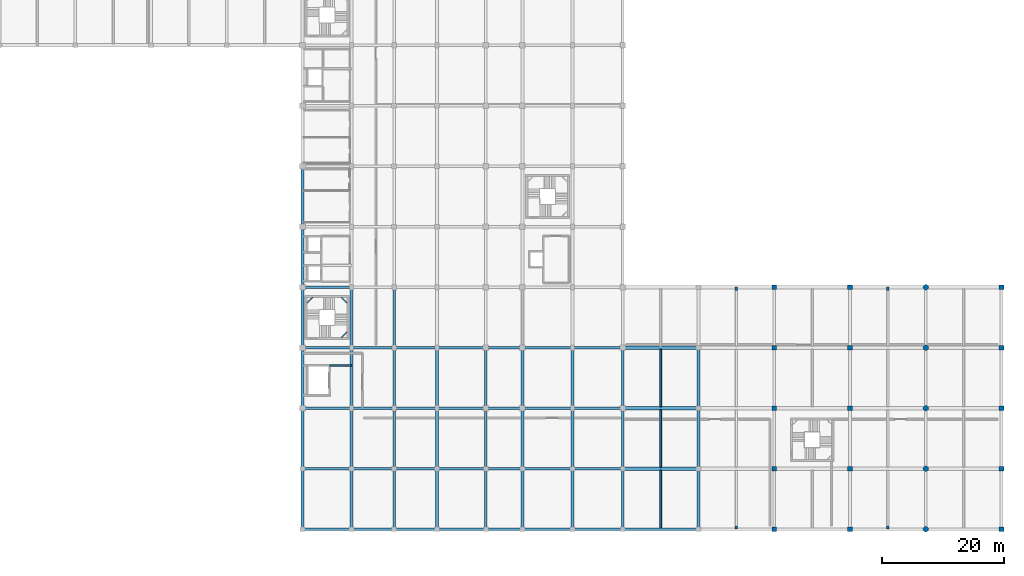
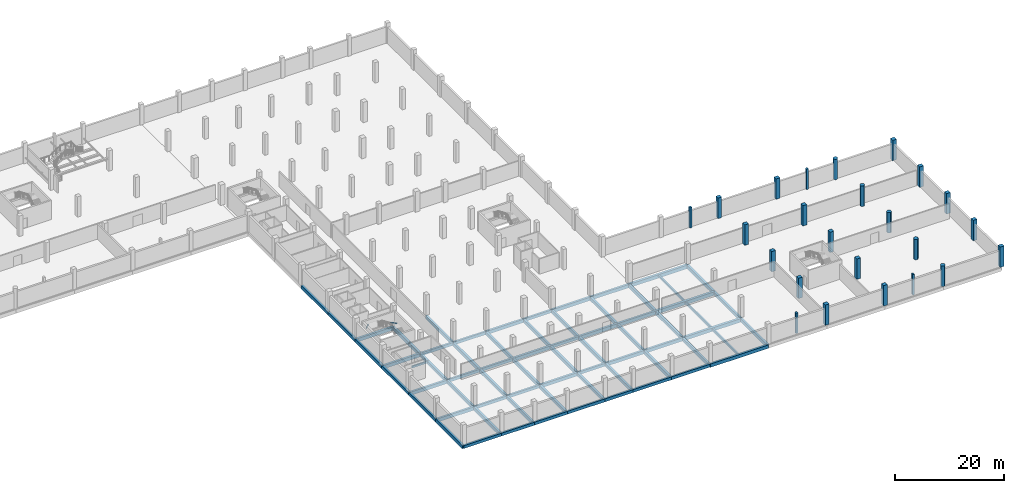
# One storey, part 3 of 32: 72 beams, 24 columns.
"""IFC4 building model written with IfcOpenShell, lengths in metres."""

from ifc_helpers import new_model, si_unit, direction, frame, origin, origin_2d, place, context, subcontext, project, spatial, rectangle, hollow_rectangle, circle, extrude, material, material_profile, profile_set, type_object, element, save


model = new_model("IFC4")

# Units and contexts
model_context = context("Model", 3, precision=1e-05, world=origin(), true_north=direction((0.0, 1.0)))
body_context = subcontext(model_context, "Body", "Model", "MODEL_VIEW")
ifc_project = project(units=[si_unit("LENGTHUNIT", "METRE"), si_unit("AREAUNIT", "SQUARE_METRE"), si_unit("VOLUMEUNIT", "CUBIC_METRE"), si_unit("PLANEANGLEUNIT", "RADIAN"), si_unit("MASSUNIT", "GRAM", prefix="KILO")], contexts=[model_context])

# Site, building, storey
site_placement = place(None, origin())
site = spatial("IfcSite", under=ifc_project, at=site_placement, CompositionType="ELEMENT")
building_placement = place(site_placement, origin())
building = spatial("IfcBuilding", under=site, at=building_placement, Name="Sillaruma Civic Art Gallery", CompositionType="ELEMENT")
storey_placement = place(building_placement, frame((0.0, 0.0, -4.590087890625)))
storey = spatial("IfcBuildingStorey", under=building, at=storey_placement, Name="B01", CompositionType="ELEMENT", Elevation=-4.590087890625)

# Columns
ifc_material_1 = material(Name="Concrete H40 (40 MPa)", Category="concrete")
ifc_material_profile_1 = material_profile(ifc_material_1, rectangle(XDim=0.800048828125, YDim=0.800048828125, at=origin_2d()), Name="RC800x800")
ifc_profile_set_1 = profile_set([ifc_material_profile_1], Name="Concrete H40 (40 MPa)")
column_type_1 = type_object("IfcColumnType", Name="COL-COLUMN-RC800x800", PredefinedType="COLUMN", material=ifc_profile_set_1)
for number, where, z_axis, x_axis, name in (
    (1, (139.199951171875, 0.0, 0.0), (0.0, 0.0, 1.0), (1.0, 0.0, 0.0), "Column C-04 (B01:Q1)"),
    (2, (139.199951171875, 9.89990234375, 0.0), (0.0, 0.0, 1.0), (1.0, 0.0, 0.0), "Column C-04 (B01:Q2)"),
    (3, (139.199951171875, 19.800048828125, 0.0), (0.0, 0.0, 1.0), (1.0, 0.0, 0.0), "Column C-04 (B01:Q3)"),
    (4, (139.199951171875, 29.699951171875, 0.0), (0.0, 0.0, 1.0), (1.0, 0.0, 0.0), "Column C-04 (B01:Q4)"),
    (5, (139.199951171875, 39.60009765625, 0.0), (0.0, 0.0, 1.0), (1.0, 0.0, 0.0), "Column C-04 (B01:Q5)"),
    (6, (151.60009765625, 0.0, 0.0), (0.0, 0.0, 1.0), (1.0, 0.0, 0.0), "Column C-04 (B01:R1)"),
    (7, (151.60009765625, 9.89990234375, 0.0), (0.0, 0.0, 1.0), (1.0, 0.0, 0.0), "Column C-04 (B01:R2)"),
    (8, (151.60009765625, 19.800048828125, 0.0), (0.0, 0.0, 1.0), (1.0, 0.0, 0.0), "Column C-04 (B01:R3)"),
    (9, (151.60009765625, 29.699951171875, 0.0), (0.0, 0.0, 1.0), (1.0, 0.0, 0.0), "Column C-04 (B01:R4)"),
    (10, (151.60009765625, 39.60009765625, 0.0), (0.0, 0.0, 1.0), (1.0, 0.0, 0.0), "Column C-04 (B01:R5)"),
    (11, (176.39990234375, 0.0, 0.0), (0.0, 0.0, 1.0), (1.0, 0.0, 0.0), "Column C-04 (B01:T1)"),
    (12, (176.39990234375, 9.89990234375, 0.0), (0.0, 0.0, 1.0), (1.0, 0.0, 0.0), "Column C-04 (B01:T2)"),
    (13, (176.39990234375, 19.800048828125, 0.0), (0.0, 0.0, 1.0), (1.0, 0.0, 0.0), "Column C-04 (B01:T3)"),
    (14, (176.39990234375, 29.699951171875, 0.0), (0.0, 0.0, 1.0), (1.0, 0.0, 0.0), "Column C-04 (B01:T4)"),
    (15, (176.39990234375, 39.60009765625, 0.0), (0.0, 0.0, 1.0), (1.0, 0.0, 0.0), "Column C-04 (B01:T5)"),
):
    element("IfcColumn", number, at=place(storey_placement, frame(where, z_axis=z_axis, x_axis=x_axis)), inside=storey, type_object=column_type_1, Name=name, PredefinedType="COLUMN", context=body_context, shape_type="SweptSolid", body=[
        extrude(rectangle(XDim=0.800048828125, YDim=0.800048828125, at=origin_2d()), origin(), (0.0, 0.0, 1.0), 4.590087890625),
    ])
ifc_material_profile_2 = material_profile(ifc_material_1, circle(Radius=0.43994140625, at=origin_2d()), Name="RCC880")
ifc_profile_set_2 = profile_set([ifc_material_profile_2], Name="Concrete H40 (40 MPa)")
column_type_2 = type_object("IfcColumnType", Name="COL-COLUMN-RCC880", PredefinedType="COLUMN", material=ifc_profile_set_2)
for number, where, z_axis, x_axis, name in (
    (16, (164.0, 0.0, 0.0), (0.0, 0.0, 1.0), (1.0, 0.0, 0.0), "Column CC-01 (B01:S1)"),
    (17, (164.0, 9.89990234375, 0.0), (0.0, 0.0, 1.0), (1.0, 0.0, 0.0), "Column CC-01 (B01:S2)"),
    (18, (164.0, 19.800048828125, 0.0), (0.0, 0.0, 1.0), (1.0, 0.0, 0.0), "Column CC-01 (B01:S3)"),
    (19, (164.0, 29.699951171875, 0.0), (0.0, 0.0, 1.0), (1.0, 0.0, 0.0), "Column CC-01 (B01:S4)"),
    (20, (164.0, 39.60009765625, 0.0), (0.0, 0.0, 1.0), (1.0, 0.0, 0.0), "Column CC-01 (B01:S5)"),
):
    element("IfcColumn", number, at=place(storey_placement, frame(where, z_axis=z_axis, x_axis=x_axis)), inside=storey, type_object=column_type_2, Name=name, PredefinedType="COLUMN", context=body_context, shape_type="SweptSolid", body=[
        extrude(circle(Radius=0.43994140625, at=origin_2d()), origin(), (0.0, 0.0, 1.0), 4.590087890625),
    ])
ifc_material_profile_3 = material_profile(ifc_material_1, rectangle(XDim=0.3798828125, YDim=0.5, at=origin_2d()), Name="RC500x380")
ifc_profile_set_3 = profile_set([ifc_material_profile_3], Name="Concrete H40 (40 MPa)")
column_type_3 = type_object("IfcColumnType", Name="COL-PILASTER-RC500x380", PredefinedType="PILASTER", material=ifc_profile_set_3)
for number, where, z_axis, x_axis, name in (
    (21, (133.0, 0.25, 0.0), (0.0, 0.0, 1.0), (1.0, 0.0, 0.0), "Pilaster CP-01 (B01:PIL-E1)"),
    (22, (157.800048828125, 0.25, 0.0), (0.0, 0.0, 1.0), (1.0, 0.0, 0.0), "Pilaster CP-01 (B01:PIL-E2)"),
    (23, (133.0, 39.35009765625, 0.0), (0.0, 0.0, 1.0), (1.0, 0.0, 0.0), "Pilaster CP-01 (B01:PIL-E3)"),
    (24, (157.800048828125, 39.35009765625, 0.0), (0.0, 0.0, 1.0), (1.0, 0.0, 0.0), "Pilaster CP-01 (B01:PIL-E4)"),
):
    element("IfcColumn", number, at=place(storey_placement, frame(where, z_axis=z_axis, x_axis=x_axis)), inside=storey, type_object=column_type_3, Name=name, PredefinedType="PILASTER", context=body_context, shape_type="SweptSolid", body=[
        extrude(rectangle(XDim=0.3798828125, YDim=0.5, at=origin_2d()), origin(), (0.0, 0.0, 1.0), 4.590087890625),
    ])

# Beams
ifc_material_2 = material(Name="Concrete H35 (35 MPa)", Category="concrete")
ifc_material_profile_4 = material_profile(ifc_material_2, rectangle(XDim=0.39990234375, YDim=0.64990234375, at=origin_2d()), Name="RCB400x650")
ifc_profile_set_4 = profile_set([ifc_material_profile_4], Name="Concrete H35 (35 MPa)")
beam_type_1 = type_object("IfcBeamType", Name="BM-BEAM-RCB400x650", PredefinedType="BEAM", material=ifc_profile_set_4)
for number, where, z_axis, x_axis, name in (
    (25, (70.0, 9.89990234375, -0.60498046875), (1.0, 0.0, 0.0), (0.0, 1.0, 0.0), "Beam BM-05 (B02:2:G-H)"),
    (26, (77.0, 9.89990234375, -0.60498046875), (1.0, 0.0, 0.0), (0.0, 1.0, 0.0), "Beam BM-05 (B02:2:H-J)"),
):
    element("IfcBeam", number, at=place(storey_placement, frame(where, z_axis=z_axis, x_axis=x_axis)), inside=storey, type_object=beam_type_1, Name=name, PredefinedType="BEAM", context=body_context, shape_type="SweptSolid", body=[
        extrude(rectangle(XDim=0.39990234375, YDim=0.64990234375, at=origin_2d()), origin(), (0.0, 0.0, 1.0), 7.0),
    ])
beam_1_placement = place(storey_placement, frame((92.0, 9.89990234375, -0.60498046875), z_axis=(1.0, 0.0, 0.0), x_axis=(0.0, 1.0, 0.0)))
element("IfcBeam", 27, at=beam_1_placement, inside=storey, type_object=beam_type_1, Name="Beam BM-05 (B02:2:K-L)", PredefinedType="BEAM", context=body_context, shape_type="SweptSolid", body=[
    extrude(rectangle(XDim=0.39990234375, YDim=0.64990234375, at=origin_2d()), origin(), (0.0, 0.0, 1.0), 6.0),
])
for number, where, z_axis, x_axis, name in (
    (28, (70.0, 19.800048828125, -0.60498046875), (1.0, 0.0, 0.0), (0.0, 1.0, 0.0), "Beam BM-05 (B02:3:G-H)"),
    (29, (77.0, 19.800048828125, -0.60498046875), (1.0, 0.0, 0.0), (0.0, 1.0, 0.0), "Beam BM-05 (B02:3:H-J)"),
):
    element("IfcBeam", number, at=place(storey_placement, frame(where, z_axis=z_axis, x_axis=x_axis)), inside=storey, type_object=beam_type_1, Name=name, PredefinedType="BEAM", context=body_context, shape_type="SweptSolid", body=[
        extrude(rectangle(XDim=0.39990234375, YDim=0.64990234375, at=origin_2d()), origin(), (0.0, 0.0, 1.0), 7.0),
    ])
beam_2_placement = place(storey_placement, frame((92.0, 19.800048828125, -0.60498046875), z_axis=(1.0, 0.0, 0.0), x_axis=(0.0, 1.0, 0.0)))
element("IfcBeam", 30, at=beam_2_placement, inside=storey, type_object=beam_type_1, Name="Beam BM-05 (B02:3:K-L)", PredefinedType="BEAM", context=body_context, shape_type="SweptSolid", body=[
    extrude(rectangle(XDim=0.39990234375, YDim=0.64990234375, at=origin_2d()), origin(), (0.0, 0.0, 1.0), 6.0),
])
for number, where, z_axis, x_axis, name in (
    (31, (70.0, 29.699951171875, -0.60498046875), (1.0, 0.0, 0.0), (0.0, 1.0, 0.0), "Beam BM-05 (B02:4:G-H)"),
    (32, (77.0, 29.699951171875, -0.60498046875), (1.0, 0.0, 0.0), (0.0, 1.0, 0.0), "Beam BM-05 (B02:4:H-J)"),
):
    element("IfcBeam", number, at=place(storey_placement, frame(where, z_axis=z_axis, x_axis=x_axis)), inside=storey, type_object=beam_type_1, Name=name, PredefinedType="BEAM", context=body_context, shape_type="SweptSolid", body=[
        extrude(rectangle(XDim=0.39990234375, YDim=0.64990234375, at=origin_2d()), origin(), (0.0, 0.0, 1.0), 7.0),
    ])
beam_3_placement = place(storey_placement, frame((92.0, 29.699951171875, -0.60498046875), z_axis=(1.0, 0.0, 0.0), x_axis=(0.0, 1.0, 0.0)))
element("IfcBeam", 33, at=beam_3_placement, inside=storey, type_object=beam_type_1, Name="Beam BM-05 (B02:4:K-L)", PredefinedType="BEAM", context=body_context, shape_type="SweptSolid", body=[
    extrude(rectangle(XDim=0.39990234375, YDim=0.64990234375, at=origin_2d()), origin(), (0.0, 0.0, 1.0), 6.0),
])
ifc_material_profile_5 = material_profile(ifc_material_1, rectangle(XDim=0.449951171875, YDim=0.75, at=origin_2d()), Name="RCB450x750")
ifc_profile_set_5 = profile_set([ifc_material_profile_5], Name="Concrete H40 (40 MPa)")
beam_type_2 = type_object("IfcBeamType", Name="BM-BEAM-RCB450x750", PredefinedType="BEAM", material=ifc_profile_set_5)
for number, where, z_axis, x_axis, name in (
    (34, (62.0, 9.89990234375, -0.655029296875), (1.0, 0.0, 0.0), (0.0, 1.0, 0.0), "Beam BM-03 (B02:2:F-G)"),
    (35, (84.0, 9.89990234375, -0.655029296875), (1.0, 0.0, 0.0), (0.0, 1.0, 0.0), "Beam BM-03 (B02:2:J-K)"),
):
    element("IfcBeam", number, at=place(storey_placement, frame(where, z_axis=z_axis, x_axis=x_axis)), inside=storey, type_object=beam_type_2, Name=name, PredefinedType="BEAM", context=body_context, shape_type="SweptSolid", body=[
        extrude(rectangle(XDim=0.449951171875, YDim=0.75, at=origin_2d()), origin(), (0.0, 0.0, 1.0), 8.0),
    ])
for number, where, z_axis, x_axis, name in (
    (36, (98.0, 9.89990234375, -0.655029296875), (1.0, 0.0, 0.0), (0.0, 1.0, 0.0), "Beam BM-03 (B02:2:L-M)"),
    (37, (106.199951171875, 9.89990234375, -0.655029296875), (1.0, 0.0, 0.0), (0.0, 1.0, 0.0), "Beam BM-03 (B02:2:M-N)"),
):
    element("IfcBeam", number, at=place(storey_placement, frame(where, z_axis=z_axis, x_axis=x_axis)), inside=storey, type_object=beam_type_2, Name=name, PredefinedType="BEAM", context=body_context, shape_type="SweptSolid", body=[
        extrude(rectangle(XDim=0.449951171875, YDim=0.75, at=origin_2d()), origin(), (0.0, 0.0, 1.0), 8.199951171875),
    ])
for number, where, z_axis, x_axis, name in (
    (38, (62.0, 19.800048828125, -0.655029296875), (1.0, 0.0, 0.0), (0.0, 1.0, 0.0), "Beam BM-03 (B02:3:F-G)"),
    (39, (84.0, 19.800048828125, -0.655029296875), (1.0, 0.0, 0.0), (0.0, 1.0, 0.0), "Beam BM-03 (B02:3:J-K)"),
):
    element("IfcBeam", number, at=place(storey_placement, frame(where, z_axis=z_axis, x_axis=x_axis)), inside=storey, type_object=beam_type_2, Name=name, PredefinedType="BEAM", context=body_context, shape_type="SweptSolid", body=[
        extrude(rectangle(XDim=0.449951171875, YDim=0.75, at=origin_2d()), origin(), (0.0, 0.0, 1.0), 8.0),
    ])
for number, where, z_axis, x_axis, name in (
    (40, (98.0, 19.800048828125, -0.655029296875), (1.0, 0.0, 0.0), (0.0, 1.0, 0.0), "Beam BM-03 (B02:3:L-M)"),
    (41, (106.199951171875, 19.800048828125, -0.655029296875), (1.0, 0.0, 0.0), (0.0, 1.0, 0.0), "Beam BM-03 (B02:3:M-N)"),
):
    element("IfcBeam", number, at=place(storey_placement, frame(where, z_axis=z_axis, x_axis=x_axis)), inside=storey, type_object=beam_type_2, Name=name, PredefinedType="BEAM", context=body_context, shape_type="SweptSolid", body=[
        extrude(rectangle(XDim=0.449951171875, YDim=0.75, at=origin_2d()), origin(), (0.0, 0.0, 1.0), 8.199951171875),
    ])
for number, where, z_axis, x_axis, name in (
    (42, (62.0, 29.699951171875, -0.655029296875), (1.0, 0.0, 0.0), (0.0, 1.0, 0.0), "Beam BM-03 (B02:4:F-G)"),
    (43, (84.0, 29.699951171875, -0.655029296875), (1.0, 0.0, 0.0), (0.0, 1.0, 0.0), "Beam BM-03 (B02:4:J-K)"),
):
    element("IfcBeam", number, at=place(storey_placement, frame(where, z_axis=z_axis, x_axis=x_axis)), inside=storey, type_object=beam_type_2, Name=name, PredefinedType="BEAM", context=body_context, shape_type="SweptSolid", body=[
        extrude(rectangle(XDim=0.449951171875, YDim=0.75, at=origin_2d()), origin(), (0.0, 0.0, 1.0), 8.0),
    ])
for number, where, z_axis, x_axis, name in (
    (44, (98.0, 29.699951171875, -0.655029296875), (1.0, 0.0, 0.0), (0.0, 1.0, 0.0), "Beam BM-03 (B02:4:L-M)"),
    (45, (106.199951171875, 29.699951171875, -0.655029296875), (1.0, 0.0, 0.0), (0.0, 1.0, 0.0), "Beam BM-03 (B02:4:M-N)"),
):
    element("IfcBeam", number, at=place(storey_placement, frame(where, z_axis=z_axis, x_axis=x_axis)), inside=storey, type_object=beam_type_2, Name=name, PredefinedType="BEAM", context=body_context, shape_type="SweptSolid", body=[
        extrude(rectangle(XDim=0.449951171875, YDim=0.75, at=origin_2d()), origin(), (0.0, 0.0, 1.0), 8.199951171875),
    ])
beam_4_placement = place(storey_placement, frame((62.0, 39.60009765625, -0.655029296875), z_axis=(1.0, 0.0, 0.0), x_axis=(0.0, 1.0, 0.0)))
element("IfcBeam", 46, at=beam_4_placement, inside=storey, type_object=beam_type_2, Name="Beam BM-03 (B02:5:F-G)", PredefinedType="BEAM", context=body_context, shape_type="SweptSolid", body=[
    extrude(rectangle(XDim=0.449951171875, YDim=0.75, at=origin_2d()), origin(), (0.0, 0.0, 1.0), 8.0),
])
beam_5_placement = place(storey_placement, frame((62.0, 0.0, -0.655029296875), z_axis=(0.0, 1.0, 0.0), x_axis=(-1.0, 0.0, 0.0)))
element("IfcBeam", 47, at=beam_5_placement, inside=storey, type_object=beam_type_2, Name="Beam BM-03 (B02:F:1-2)", PredefinedType="BEAM", context=body_context, shape_type="SweptSolid", body=[
    extrude(rectangle(XDim=0.449951171875, YDim=0.75, at=origin_2d()), origin(), (0.0, 0.0, 1.0), 9.89990234375),
])
beam_6_placement = place(storey_placement, frame((62.0, 9.89990234375, -0.655029296875), z_axis=(0.0, 1.0, 0.0), x_axis=(-1.0, 0.0, 0.0)))
element("IfcBeam", 48, at=beam_6_placement, inside=storey, type_object=beam_type_2, Name="Beam BM-03 (B02:F:2-3)", PredefinedType="BEAM", context=body_context, shape_type="SweptSolid", body=[
    extrude(rectangle(XDim=0.449951171875, YDim=0.75, at=origin_2d()), origin(), (0.0, 0.0, 1.0), 9.900146484375),
])
beam_7_placement = place(storey_placement, frame((62.0, 19.800048828125, -0.655029296875), z_axis=(0.0, 1.0, 0.0), x_axis=(-1.0, 0.0, 0.0)))
element("IfcBeam", 49, at=beam_7_placement, inside=storey, type_object=beam_type_2, Name="Beam BM-03 (B02:F:3-4)", PredefinedType="BEAM", context=body_context, shape_type="SweptSolid", body=[
    extrude(rectangle(XDim=0.449951171875, YDim=0.75, at=origin_2d()), origin(), (0.0, 0.0, 1.0), 9.89990234375),
])
beam_8_placement = place(storey_placement, frame((62.0, 29.699951171875, -0.655029296875), z_axis=(0.0, 1.0, 0.0), x_axis=(-1.0, 0.0, 0.0)))
element("IfcBeam", 50, at=beam_8_placement, inside=storey, type_object=beam_type_2, Name="Beam BM-03 (B02:F:4-5)", PredefinedType="BEAM", context=body_context, shape_type="SweptSolid", body=[
    extrude(rectangle(XDim=0.449951171875, YDim=0.75, at=origin_2d()), origin(), (0.0, 0.0, 1.0), 9.900146484375),
])
for number, where, z_axis, x_axis, name in (
    (51, (62.0, 39.60009765625, -0.655029296875), (0.0, 1.0, 0.0), (-1.0, 0.0, 0.0), "Beam BM-03 (B02:F:5-6)"),
    (52, (62.0, 49.5, -0.655029296875), (0.0, 1.0, 0.0), (-1.0, 0.0, 0.0), "Beam BM-03 (B02:F:6-7)"),
    (53, (70.0, 0.0, -0.655029296875), (0.0, 1.0, 0.0), (-1.0, 0.0, 0.0), "Beam BM-03 (B02:G:1-2)"),
):
    element("IfcBeam", number, at=place(storey_placement, frame(where, z_axis=z_axis, x_axis=x_axis)), inside=storey, type_object=beam_type_2, Name=name, PredefinedType="BEAM", context=body_context, shape_type="SweptSolid", body=[
        extrude(rectangle(XDim=0.449951171875, YDim=0.75, at=origin_2d()), origin(), (0.0, 0.0, 1.0), 9.89990234375),
    ])
beam_9_placement = place(storey_placement, frame((70.0, 9.89990234375, -0.655029296875), z_axis=(0.0, 1.0, 0.0), x_axis=(-1.0, 0.0, 0.0)))
element("IfcBeam", 54, at=beam_9_placement, inside=storey, type_object=beam_type_2, Name="Beam BM-03 (B02:G:2-3)", PredefinedType="BEAM", context=body_context, shape_type="SweptSolid", body=[
    extrude(rectangle(XDim=0.449951171875, YDim=0.75, at=origin_2d()), origin(), (0.0, 0.0, 1.0), 9.900146484375),
])
beam_10_placement = place(storey_placement, frame((70.0, 19.800048828125, -0.655029296875), z_axis=(0.0, 1.0, 0.0), x_axis=(-1.0, 0.0, 0.0)))
element("IfcBeam", 55, at=beam_10_placement, inside=storey, type_object=beam_type_2, Name="Beam BM-03 (B02:G:3-4)", PredefinedType="BEAM", context=body_context, shape_type="SweptSolid", body=[
    extrude(rectangle(XDim=0.449951171875, YDim=0.75, at=origin_2d()), origin(), (0.0, 0.0, 1.0), 9.89990234375),
])
beam_11_placement = place(storey_placement, frame((70.0, 29.699951171875, -0.655029296875), z_axis=(0.0, 1.0, 0.0), x_axis=(-1.0, 0.0, 0.0)))
element("IfcBeam", 56, at=beam_11_placement, inside=storey, type_object=beam_type_2, Name="Beam BM-03 (B02:G:4-5)", PredefinedType="BEAM", context=body_context, shape_type="SweptSolid", body=[
    extrude(rectangle(XDim=0.449951171875, YDim=0.75, at=origin_2d()), origin(), (0.0, 0.0, 1.0), 9.900146484375),
])
beam_12_placement = place(storey_placement, frame((77.0, 0.0, -0.655029296875), z_axis=(0.0, 1.0, 0.0), x_axis=(-1.0, 0.0, 0.0)))
element("IfcBeam", 57, at=beam_12_placement, inside=storey, type_object=beam_type_2, Name="Beam BM-03 (B02:H:1-2)", PredefinedType="BEAM", context=body_context, shape_type="SweptSolid", body=[
    extrude(rectangle(XDim=0.449951171875, YDim=0.75, at=origin_2d()), origin(), (0.0, 0.0, 1.0), 9.89990234375),
])
beam_13_placement = place(storey_placement, frame((77.0, 9.89990234375, -0.655029296875), z_axis=(0.0, 1.0, 0.0), x_axis=(-1.0, 0.0, 0.0)))
element("IfcBeam", 58, at=beam_13_placement, inside=storey, type_object=beam_type_2, Name="Beam BM-03 (B02:H:2-3)", PredefinedType="BEAM", context=body_context, shape_type="SweptSolid", body=[
    extrude(rectangle(XDim=0.449951171875, YDim=0.75, at=origin_2d()), origin(), (0.0, 0.0, 1.0), 9.900146484375),
])
beam_14_placement = place(storey_placement, frame((77.0, 19.800048828125, -0.655029296875), z_axis=(0.0, 1.0, 0.0), x_axis=(-1.0, 0.0, 0.0)))
element("IfcBeam", 59, at=beam_14_placement, inside=storey, type_object=beam_type_2, Name="Beam BM-03 (B02:H:3-4)", PredefinedType="BEAM", context=body_context, shape_type="SweptSolid", body=[
    extrude(rectangle(XDim=0.449951171875, YDim=0.75, at=origin_2d()), origin(), (0.0, 0.0, 1.0), 9.89990234375),
])
beam_15_placement = place(storey_placement, frame((77.0, 29.699951171875, -0.655029296875), z_axis=(0.0, 1.0, 0.0), x_axis=(-1.0, 0.0, 0.0)))
element("IfcBeam", 60, at=beam_15_placement, inside=storey, type_object=beam_type_2, Name="Beam BM-03 (B02:H:4-5)", PredefinedType="BEAM", context=body_context, shape_type="SweptSolid", body=[
    extrude(rectangle(XDim=0.449951171875, YDim=0.75, at=origin_2d()), origin(), (0.0, 0.0, 1.0), 9.900146484375),
])
beam_16_placement = place(storey_placement, frame((84.0, 0.0, -0.655029296875), z_axis=(0.0, 1.0, 0.0), x_axis=(-1.0, 0.0, 0.0)))
element("IfcBeam", 61, at=beam_16_placement, inside=storey, type_object=beam_type_2, Name="Beam BM-03 (B02:J:1-2)", PredefinedType="BEAM", context=body_context, shape_type="SweptSolid", body=[
    extrude(rectangle(XDim=0.449951171875, YDim=0.75, at=origin_2d()), origin(), (0.0, 0.0, 1.0), 9.89990234375),
])
beam_17_placement = place(storey_placement, frame((84.0, 9.89990234375, -0.655029296875), z_axis=(0.0, 1.0, 0.0), x_axis=(-1.0, 0.0, 0.0)))
element("IfcBeam", 62, at=beam_17_placement, inside=storey, type_object=beam_type_2, Name="Beam BM-03 (B02:J:2-3)", PredefinedType="BEAM", context=body_context, shape_type="SweptSolid", body=[
    extrude(rectangle(XDim=0.449951171875, YDim=0.75, at=origin_2d()), origin(), (0.0, 0.0, 1.0), 9.900146484375),
])
for number, where, z_axis, x_axis, name in (
    (63, (84.0, 19.800048828125, -0.655029296875), (0.0, 1.0, 0.0), (-1.0, 0.0, 0.0), "Beam BM-03 (B02:J:3-4)"),
    (64, (92.0, 0.0, -0.655029296875), (0.0, 1.0, 0.0), (-1.0, 0.0, 0.0), "Beam BM-03 (B02:K:1-2)"),
):
    element("IfcBeam", number, at=place(storey_placement, frame(where, z_axis=z_axis, x_axis=x_axis)), inside=storey, type_object=beam_type_2, Name=name, PredefinedType="BEAM", context=body_context, shape_type="SweptSolid", body=[
        extrude(rectangle(XDim=0.449951171875, YDim=0.75, at=origin_2d()), origin(), (0.0, 0.0, 1.0), 9.89990234375),
    ])
beam_18_placement = place(storey_placement, frame((92.0, 9.89990234375, -0.655029296875), z_axis=(0.0, 1.0, 0.0), x_axis=(-1.0, 0.0, 0.0)))
element("IfcBeam", 65, at=beam_18_placement, inside=storey, type_object=beam_type_2, Name="Beam BM-03 (B02:K:2-3)", PredefinedType="BEAM", context=body_context, shape_type="SweptSolid", body=[
    extrude(rectangle(XDim=0.449951171875, YDim=0.75, at=origin_2d()), origin(), (0.0, 0.0, 1.0), 9.900146484375),
])
for number, where, z_axis, x_axis, name in (
    (66, (92.0, 19.800048828125, -0.655029296875), (0.0, 1.0, 0.0), (-1.0, 0.0, 0.0), "Beam BM-03 (B02:K:3-4)"),
    (67, (98.0, 0.0, -0.655029296875), (0.0, 1.0, 0.0), (-1.0, 0.0, 0.0), "Beam BM-03 (B02:L:1-2)"),
):
    element("IfcBeam", number, at=place(storey_placement, frame(where, z_axis=z_axis, x_axis=x_axis)), inside=storey, type_object=beam_type_2, Name=name, PredefinedType="BEAM", context=body_context, shape_type="SweptSolid", body=[
        extrude(rectangle(XDim=0.449951171875, YDim=0.75, at=origin_2d()), origin(), (0.0, 0.0, 1.0), 9.89990234375),
    ])
beam_19_placement = place(storey_placement, frame((98.0, 9.89990234375, -0.655029296875), z_axis=(0.0, 1.0, 0.0), x_axis=(-1.0, 0.0, 0.0)))
element("IfcBeam", 68, at=beam_19_placement, inside=storey, type_object=beam_type_2, Name="Beam BM-03 (B02:L:2-3)", PredefinedType="BEAM", context=body_context, shape_type="SweptSolid", body=[
    extrude(rectangle(XDim=0.449951171875, YDim=0.75, at=origin_2d()), origin(), (0.0, 0.0, 1.0), 9.900146484375),
])
for number, where, z_axis, x_axis, name in (
    (69, (98.0, 19.800048828125, -0.655029296875), (0.0, 1.0, 0.0), (-1.0, 0.0, 0.0), "Beam BM-03 (B02:L:3-4)"),
    (70, (106.199951171875, 0.0, -0.655029296875), (0.0, 1.0, 0.0), (-1.0, 0.0, 0.0), "Beam BM-03 (B02:M:1-2)"),
):
    element("IfcBeam", number, at=place(storey_placement, frame(where, z_axis=z_axis, x_axis=x_axis)), inside=storey, type_object=beam_type_2, Name=name, PredefinedType="BEAM", context=body_context, shape_type="SweptSolid", body=[
        extrude(rectangle(XDim=0.449951171875, YDim=0.75, at=origin_2d()), origin(), (0.0, 0.0, 1.0), 9.89990234375),
    ])
beam_20_placement = place(storey_placement, frame((106.199951171875, 9.89990234375, -0.655029296875), z_axis=(0.0, 1.0, 0.0), x_axis=(-1.0, 0.0, 0.0)))
element("IfcBeam", 71, at=beam_20_placement, inside=storey, type_object=beam_type_2, Name="Beam BM-03 (B02:M:2-3)", PredefinedType="BEAM", context=body_context, shape_type="SweptSolid", body=[
    extrude(rectangle(XDim=0.449951171875, YDim=0.75, at=origin_2d()), origin(), (0.0, 0.0, 1.0), 9.900146484375),
])
for number, where, z_axis, x_axis, name in (
    (72, (106.199951171875, 19.800048828125, -0.655029296875), (0.0, 1.0, 0.0), (-1.0, 0.0, 0.0), "Beam BM-03 (B02:M:3-4)"),
    (73, (114.39990234375, 0.0, -0.655029296875), (0.0, 1.0, 0.0), (-1.0, 0.0, 0.0), "Beam BM-03 (B02:N:1-2)"),
):
    element("IfcBeam", number, at=place(storey_placement, frame(where, z_axis=z_axis, x_axis=x_axis)), inside=storey, type_object=beam_type_2, Name=name, PredefinedType="BEAM", context=body_context, shape_type="SweptSolid", body=[
        extrude(rectangle(XDim=0.449951171875, YDim=0.75, at=origin_2d()), origin(), (0.0, 0.0, 1.0), 9.89990234375),
    ])
beam_21_placement = place(storey_placement, frame((114.39990234375, 9.89990234375, -0.655029296875), z_axis=(0.0, 1.0, 0.0), x_axis=(-1.0, 0.0, 0.0)))
element("IfcBeam", 74, at=beam_21_placement, inside=storey, type_object=beam_type_2, Name="Beam BM-03 (B02:N:2-3)", PredefinedType="BEAM", context=body_context, shape_type="SweptSolid", body=[
    extrude(rectangle(XDim=0.449951171875, YDim=0.75, at=origin_2d()), origin(), (0.0, 0.0, 1.0), 9.900146484375),
])
for number, where, z_axis, x_axis, name in (
    (75, (114.39990234375, 19.800048828125, -0.655029296875), (0.0, 1.0, 0.0), (-1.0, 0.0, 0.0), "Beam BM-03 (B02:N:3-4)"),
    (76, (126.800048828125, 0.0, -0.655029296875), (0.0, 1.0, 0.0), (-1.0, 0.0, 0.0), "Beam BM-03 (B02:P:1-2)"),
):
    element("IfcBeam", number, at=place(storey_placement, frame(where, z_axis=z_axis, x_axis=x_axis)), inside=storey, type_object=beam_type_2, Name=name, PredefinedType="BEAM", context=body_context, shape_type="SweptSolid", body=[
        extrude(rectangle(XDim=0.449951171875, YDim=0.75, at=origin_2d()), origin(), (0.0, 0.0, 1.0), 9.89990234375),
    ])
beam_22_placement = place(storey_placement, frame((126.800048828125, 9.89990234375, -0.655029296875), z_axis=(0.0, 1.0, 0.0), x_axis=(-1.0, 0.0, 0.0)))
element("IfcBeam", 77, at=beam_22_placement, inside=storey, type_object=beam_type_2, Name="Beam BM-03 (B02:P:2-3)", PredefinedType="BEAM", context=body_context, shape_type="SweptSolid", body=[
    extrude(rectangle(XDim=0.449951171875, YDim=0.75, at=origin_2d()), origin(), (0.0, 0.0, 1.0), 9.900146484375),
])
beam_23_placement = place(storey_placement, frame((126.800048828125, 19.800048828125, -0.655029296875), z_axis=(0.0, 1.0, 0.0), x_axis=(-1.0, 0.0, 0.0)))
element("IfcBeam", 78, at=beam_23_placement, inside=storey, type_object=beam_type_2, Name="Beam BM-03 (B02:P:3-4)", PredefinedType="BEAM", context=body_context, shape_type="SweptSolid", body=[
    extrude(rectangle(XDim=0.449951171875, YDim=0.75, at=origin_2d()), origin(), (0.0, 0.0, 1.0), 9.89990234375),
])
ifc_material_profile_6 = material_profile(ifc_material_2, rectangle(XDim=0.300048828125, YDim=0.52001953125, at=origin_2d()), Name="RCB300x520")
ifc_profile_set_6 = profile_set([ifc_material_profile_6], Name="Concrete H35 (35 MPa)")
beam_type_3 = type_object("IfcBeamType", Name="BM-JOIST-RCB300x520", PredefinedType="JOIST", material=ifc_profile_set_6)
beam_24_placement = place(storey_placement, frame((120.60009765625, 0.22509765625, -0.539794921875), z_axis=(0.0, 1.0, 0.0), x_axis=(-1.0, 0.0, 0.0)))
element("IfcBeam", 79, at=beam_24_placement, inside=storey, type_object=beam_type_3, Name="Floor Joist JR-01 (B02:NP:1-2)", PredefinedType="JOIST", context=body_context, shape_type="SweptSolid", body=[
    extrude(rectangle(XDim=0.300048828125, YDim=0.52001953125, at=origin_2d()), origin(), (0.0, 0.0, 1.0), 9.414794921875),
])
beam_25_placement = place(storey_placement, frame((120.60009765625, 10.159912109375, -0.539794921875), z_axis=(0.0, 1.0, 0.0), x_axis=(-1.0, 0.0, 0.0)))
element("IfcBeam", 80, at=beam_25_placement, inside=storey, type_object=beam_type_3, Name="Floor Joist JR-01 (B02:NP:2-3)", PredefinedType="JOIST", context=body_context, shape_type="SweptSolid", body=[
    extrude(rectangle(XDim=0.300048828125, YDim=0.52001953125, at=origin_2d()), origin(), (0.0, 0.0, 1.0), 9.380126953125),
])
beam_26_placement = place(storey_placement, frame((120.60009765625, 20.06005859375, -0.539794921875), z_axis=(0.0, 1.0, 0.0), x_axis=(-1.0, 0.0, 0.0)))
element("IfcBeam", 81, at=beam_26_placement, inside=storey, type_object=beam_type_3, Name="Floor Joist JR-01 (B02:NP:3-4)", PredefinedType="JOIST", context=body_context, shape_type="SweptSolid", body=[
    extrude(rectangle(XDim=0.300048828125, YDim=0.52001953125, at=origin_2d()), origin(), (0.0, 0.0, 1.0), 9.3798828125),
])
ifc_material_profile_7 = material_profile(ifc_material_2, rectangle(XDim=0.260009765625, YDim=0.419921875, at=origin_2d()), Name="RCB260x420")
ifc_profile_set_7 = profile_set([ifc_material_profile_7], Name="Concrete H35 (35 MPa)")
beam_type_4 = type_object("IfcBeamType", Name="BM-LINTEL-RCB260x420", PredefinedType="LINTEL", material=ifc_profile_set_7)
beam_27_placement = place(storey_placement, frame((66.449951171875, 26.780029296875, -0.489990234375), z_axis=(1.0, 0.0, 0.0), x_axis=(0.0, 1.0, 0.0)))
element("IfcBeam", 82, at=beam_27_placement, inside=storey, type_object=beam_type_4, Name="Core Portal Coupling Lintel BL-02 (B02:GL1)", PredefinedType="LINTEL", context=body_context, shape_type="SweptSolid", body=[
    extrude(rectangle(XDim=0.260009765625, YDim=0.419921875, at=origin_2d()), origin(), (0.0, 0.0, 1.0), 3.550048828125),
])
ifc_material_3 = material(Name="Structural Steel ASTM A500 Gr.C", Category="steel")
ifc_material_profile_8 = material_profile(ifc_material_3, hollow_rectangle(XDim=0.080078125, YDim=0.159912109375, WallThickness=0.008056640625, InnerFilletRadius=0.008056640625, OuterFilletRadius=0.01611328125, at=origin_2d()), Name="HSS160x80x8")
ifc_profile_set_8 = profile_set([ifc_material_profile_8], Name="Structural Steel ASTM A500 Gr.C")
beam_type_5 = type_object("IfcBeamType", Name="BM-LND-HSS160", PredefinedType="BEAM", material=ifc_profile_set_8)
for number, where, z_axis, x_axis, name in (
    (83, (68.389892578125, 31.3701171875, 0.91015625), (0.707203758046, 0.707009791025, 0.0), (-0.707009791025, 0.707203758046, 0.0), "Stair Corner Landing Trimmer Beam (ST-03-B01-1)"),
    (84, (68.389892578125, 37.929931640625, 2.10009765625), (0.707203758046, -0.707009791025, 0.0), (0.707009791025, 0.707203758046, 0.0), "Stair Corner Landing Trimmer Beam (ST-03-B01-2)"),
    (85, (62.719970703125, 37.0400390625, 3.2900390625), (0.707203758046, 0.707009791025, 0.0), (-0.707009791025, 0.707203758046, 0.0), "Stair Corner Landing Trimmer Beam (ST-03-B01-3)"),
):
    element("IfcBeam", number, at=place(storey_placement, frame(where, z_axis=z_axis, x_axis=x_axis)), inside=storey, type_object=beam_type_5, Name=name, PredefinedType="BEAM", context=body_context, shape_type="SweptSolid", body=[
        extrude(hollow_rectangle(XDim=0.080078125, YDim=0.159912109375, WallThickness=0.008056640625, InnerFilletRadius=0.008056640625, OuterFilletRadius=0.01611328125, at=origin_2d()), origin(), (0.0, 0.0, 1.0), 1.2587890625),
    ])
ifc_material_profile_9 = material_profile(ifc_material_2, rectangle(XDim=0.39990234375, YDim=0.64990234375, at=origin_2d()), Name="RCB400x650")
ifc_profile_set_9 = profile_set([ifc_material_profile_9], Name="Concrete H35 (35 MPa)")
beam_type_6 = type_object("IfcBeamType", Name="BM-SPANDREL-RCB400x650", PredefinedType="SPANDREL", material=ifc_profile_set_9)
beam_28_placement = place(storey_placement, frame((62.0, 0.0, -0.60498046875), z_axis=(1.0, 0.0, 0.0), x_axis=(0.0, 1.0, 0.0)))
element("IfcBeam", 86, at=beam_28_placement, inside=storey, type_object=beam_type_6, Name="Beam BS-02 (B02:1:F-G)", PredefinedType="SPANDREL", context=body_context, shape_type="SweptSolid", body=[
    extrude(rectangle(XDim=0.39990234375, YDim=0.64990234375, at=origin_2d()), origin(), (0.0, 0.0, 1.0), 8.0),
])
for number, where, z_axis, x_axis, name in (
    (87, (70.0, 0.0, -0.60498046875), (1.0, 0.0, 0.0), (0.0, 1.0, 0.0), "Beam BS-02 (B02:1:G-H)"),
    (88, (77.0, 0.0, -0.60498046875), (1.0, 0.0, 0.0), (0.0, 1.0, 0.0), "Beam BS-02 (B02:1:H-J)"),
):
    element("IfcBeam", number, at=place(storey_placement, frame(where, z_axis=z_axis, x_axis=x_axis)), inside=storey, type_object=beam_type_6, Name=name, PredefinedType="SPANDREL", context=body_context, shape_type="SweptSolid", body=[
        extrude(rectangle(XDim=0.39990234375, YDim=0.64990234375, at=origin_2d()), origin(), (0.0, 0.0, 1.0), 7.0),
    ])
beam_29_placement = place(storey_placement, frame((84.0, 0.0, -0.60498046875), z_axis=(1.0, 0.0, 0.0), x_axis=(0.0, 1.0, 0.0)))
element("IfcBeam", 89, at=beam_29_placement, inside=storey, type_object=beam_type_6, Name="Beam BS-02 (B02:1:J-K)", PredefinedType="SPANDREL", context=body_context, shape_type="SweptSolid", body=[
    extrude(rectangle(XDim=0.39990234375, YDim=0.64990234375, at=origin_2d()), origin(), (0.0, 0.0, 1.0), 8.0),
])
beam_30_placement = place(storey_placement, frame((92.0, 0.0, -0.60498046875), z_axis=(1.0, 0.0, 0.0), x_axis=(0.0, 1.0, 0.0)))
element("IfcBeam", 90, at=beam_30_placement, inside=storey, type_object=beam_type_6, Name="Beam BS-02 (B02:1:K-L)", PredefinedType="SPANDREL", context=body_context, shape_type="SweptSolid", body=[
    extrude(rectangle(XDim=0.39990234375, YDim=0.64990234375, at=origin_2d()), origin(), (0.0, 0.0, 1.0), 6.0),
])
for number, where, z_axis, x_axis, name in (
    (91, (98.0, 0.0, -0.60498046875), (1.0, 0.0, 0.0), (0.0, 1.0, 0.0), "Beam BS-02 (B02:1:L-M)"),
    (92, (106.199951171875, 0.0, -0.60498046875), (1.0, 0.0, 0.0), (0.0, 1.0, 0.0), "Beam BS-02 (B02:1:M-N)"),
):
    element("IfcBeam", number, at=place(storey_placement, frame(where, z_axis=z_axis, x_axis=x_axis)), inside=storey, type_object=beam_type_6, Name=name, PredefinedType="SPANDREL", context=body_context, shape_type="SweptSolid", body=[
        extrude(rectangle(XDim=0.39990234375, YDim=0.64990234375, at=origin_2d()), origin(), (0.0, 0.0, 1.0), 8.199951171875),
    ])
ifc_material_profile_10 = material_profile(ifc_material_1, rectangle(XDim=0.449951171875, YDim=0.75, at=origin_2d()), Name="RCB450x750")
ifc_profile_set_10 = profile_set([ifc_material_profile_10], Name="Concrete H40 (40 MPa)")
beam_type_7 = type_object("IfcBeamType", Name="BM-SPANDREL-RCB450x750", PredefinedType="SPANDREL", material=ifc_profile_set_10)
beam_31_placement = place(storey_placement, frame((114.39990234375, 0.0, -0.655029296875), z_axis=(1.0, 0.0, 0.0), x_axis=(0.0, 1.0, 0.0)))
element("IfcBeam", 93, at=beam_31_placement, inside=storey, type_object=beam_type_7, Name="Beam BS-01 (B02:1:N-P)", PredefinedType="SPANDREL", context=body_context, shape_type="SweptSolid", body=[
    extrude(rectangle(XDim=0.449951171875, YDim=0.75, at=origin_2d()), origin(), (0.0, 0.0, 1.0), 12.400146484375),
])
ifc_material_profile_11 = material_profile(ifc_material_1, rectangle(XDim=0.52001953125, YDim=0.780029296875, at=origin_2d()), Name="RCT520x780")
ifc_profile_set_11 = profile_set([ifc_material_profile_11], Name="Concrete H40 (40 MPa)")
beam_type_8 = type_object("IfcBeamType", Name="BM-T_BEAM-RCT520x780", PredefinedType="T_BEAM", material=ifc_profile_set_11)
for number, where, z_axis, x_axis, name in (
    (94, (114.39990234375, 9.89990234375, -0.669921875), (1.0, 0.0, 0.0), (0.0, 1.0, 0.0), "Beam BT-01 (B02:2:N-P)"),
    (95, (114.39990234375, 19.800048828125, -0.669921875), (1.0, 0.0, 0.0), (0.0, 1.0, 0.0), "Beam BT-01 (B02:3:N-P)"),
    (96, (114.39990234375, 29.699951171875, -0.669921875), (1.0, 0.0, 0.0), (0.0, 1.0, 0.0), "Beam BT-01 (B02:4:N-P)"),
):
    element("IfcBeam", number, at=place(storey_placement, frame(where, z_axis=z_axis, x_axis=x_axis)), inside=storey, type_object=beam_type_8, Name=name, PredefinedType="T_BEAM", context=body_context, shape_type="SweptSolid", body=[
        extrude(rectangle(XDim=0.52001953125, YDim=0.780029296875, at=origin_2d()), origin(), (0.0, 0.0, 1.0), 12.400146484375),
    ])

save(model, "model.ifc")
